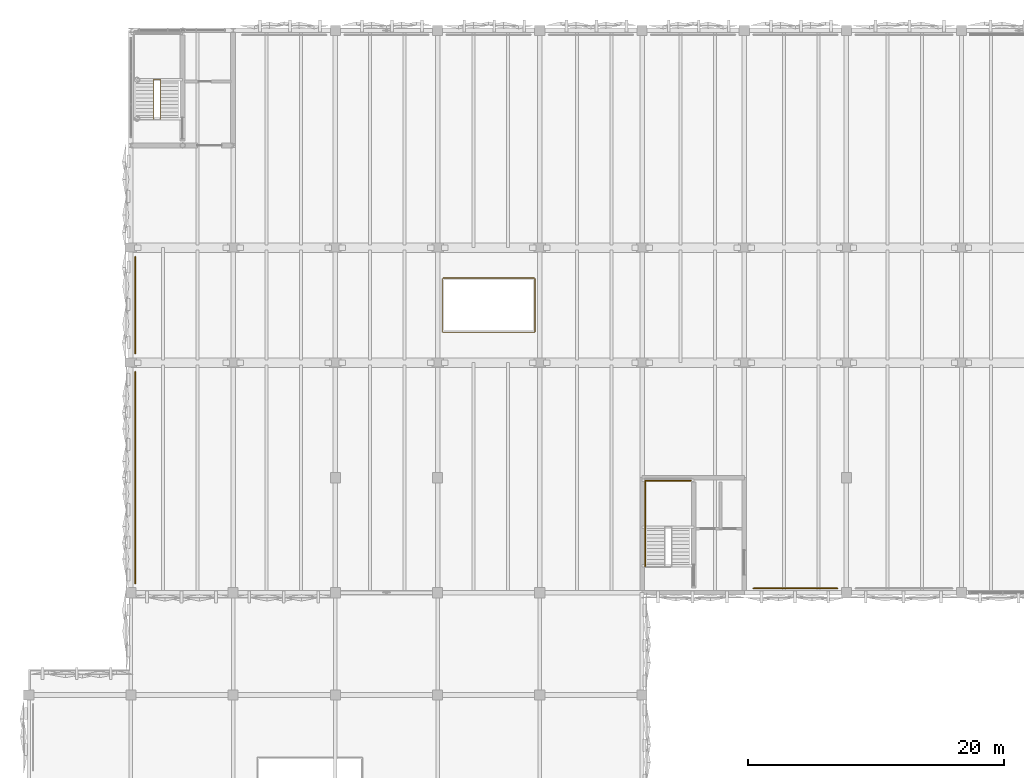
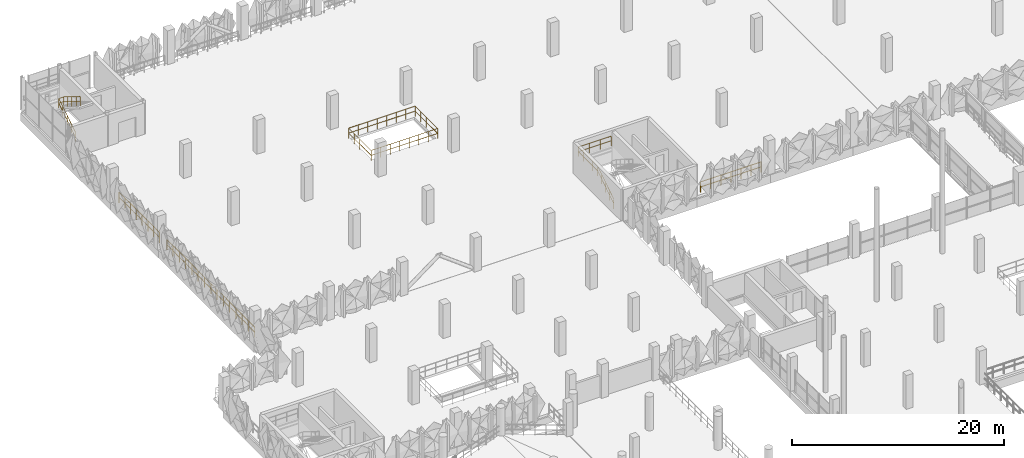
# One storey, part 112 of 123: 6 railings.
"""IFC4 building model written with IfcOpenShell, lengths in metres."""

from ifc_helpers import new_model, si_unit, derived_unit, direction, frame, origin, origin_2d, place, context, subcontext, project, spatial, circle, extrude, material, type_object, element, save


model = new_model("IFC4")

# Units and contexts
model_context = context("Model", 3, precision=1e-05, world=origin(), true_north=direction((0.0, 1.0)))
body_context = subcontext(model_context, "Body", "Model", "MODEL_VIEW")
ifc_project = project(units=[si_unit("LENGTHUNIT", "METRE"), si_unit("AREAUNIT", "SQUARE_METRE"), si_unit("VOLUMEUNIT", "CUBIC_METRE"), si_unit("PLANEANGLEUNIT", "RADIAN"), si_unit("MASSUNIT", "GRAM", prefix="KILO"), si_unit("THERMODYNAMICTEMPERATUREUNIT", "KELVIN"), derived_unit("THERMALTRANSMITTANCEUNIT", [(si_unit("POWERUNIT", "WATT"), 1), (si_unit("AREAUNIT", "SQUARE_METRE"), -1), (si_unit("THERMODYNAMICTEMPERATUREUNIT", "KELVIN"), -1)])], contexts=[model_context])

# Site, building, storey
site_placement = place(None, origin())
site = spatial("IfcSite", under=ifc_project, at=site_placement, CompositionType="ELEMENT")
building_placement = place(site_placement, origin())
building = spatial("IfcBuilding", under=site, at=building_placement, Name="Haiyu Intermodal Mobility Hub", CompositionType="ELEMENT")
storey_placement = place(building_placement, frame((0.0, 0.0, 5.60009765625)))
storey = spatial("IfcBuildingStorey", under=building, at=storey_placement, Name="L01", CompositionType="ELEMENT", Elevation=5.60009765625)

# Railings
ifc_material = material(Name="Steel Q355C", Category="steel")
railing_type_1 = type_object("IfcRailingType", Name="RAL-GR01", PredefinedType="GUARDRAIL", material=ifc_material)
railing_1_placement = place(storey_placement, frame((22.340087890625, 121.300048828125, 0.0)))
element("IfcRailing", 1, at=railing_1_placement, inside=storey, type_object=railing_type_1, Name="RAL-CAR-W-0082", PredefinedType="GUARDRAIL", context=body_context, shape_type="SweptSolid", body=[
    extrude(circle(Radius=0.02392578125, at=origin_2d()), frame((0.0, -0.030029296875, 1.17578125), z_axis=(0.0, -1.0, 0.0), x_axis=(1.0, 0.0, 0.0)), (0.0, 0.0, 1.0), 16.5400390625),
    extrude(circle(Radius=0.02392578125, at=origin_2d()), frame((0.0, -0.037353515625, 0.60009765625), z_axis=(0.0, -1.0, 0.0), x_axis=(1.0, 0.0, 0.0)), (0.0, 0.0, 1.0), 1.111083984375),
    extrude(circle(Radius=0.02392578125, at=origin_2d()), frame((0.0, -1.222900390625, 0.60009765625), z_axis=(0.0, -1.0, 0.0), x_axis=(1.0, 0.0, 0.0)), (0.0, 0.0, 1.0), 1.111083984375),
    extrude(circle(Radius=0.02392578125, at=origin_2d()), frame((0.0, -2.40869140625, 0.60009765625), z_axis=(0.0, -1.0, 0.0), x_axis=(1.0, 0.0, 0.0)), (0.0, 0.0, 1.0), 1.111083984375),
    extrude(circle(Radius=0.02392578125, at=origin_2d()), frame((0.0, -3.594482421875, 0.60009765625), z_axis=(0.0, -1.0, 0.0), x_axis=(1.0, 0.0, 0.0)), (0.0, 0.0, 1.0), 1.111083984375),
    extrude(circle(Radius=0.02392578125, at=origin_2d()), frame((0.0, -4.7802734375, 0.60009765625), z_axis=(0.0, -1.0, 0.0), x_axis=(1.0, 0.0, 0.0)), (0.0, 0.0, 1.0), 1.111083984375),
    extrude(circle(Radius=0.02392578125, at=origin_2d()), frame((0.0, -5.9658203125, 0.60009765625), z_axis=(0.0, -1.0, 0.0), x_axis=(1.0, 0.0, 0.0)), (0.0, 0.0, 1.0), 1.111083984375),
    extrude(circle(Radius=0.02392578125, at=origin_2d()), frame((0.0, -7.151611328125, 0.60009765625), z_axis=(0.0, -1.0, 0.0), x_axis=(1.0, 0.0, 0.0)), (0.0, 0.0, 1.0), 1.111083984375),
    extrude(circle(Radius=0.02392578125, at=origin_2d()), frame((0.0, -8.33740234375, 0.60009765625), z_axis=(0.0, -1.0, 0.0), x_axis=(1.0, 0.0, 0.0)), (0.0, 0.0, 1.0), 1.111083984375),
    extrude(circle(Radius=0.02392578125, at=origin_2d()), frame((0.0, -9.52294921875, 0.60009765625), z_axis=(0.0, -1.0, 0.0), x_axis=(1.0, 0.0, 0.0)), (0.0, 0.0, 1.0), 1.111083984375),
    extrude(circle(Radius=0.02392578125, at=origin_2d()), frame((0.0, -10.708740234375, 0.60009765625), z_axis=(0.0, -1.0, 0.0), x_axis=(1.0, 0.0, 0.0)), (0.0, 0.0, 1.0), 1.111083984375),
    extrude(circle(Radius=0.02392578125, at=origin_2d()), frame((0.0, -11.89453125, 0.60009765625), z_axis=(0.0, -1.0, 0.0), x_axis=(1.0, 0.0, 0.0)), (0.0, 0.0, 1.0), 1.111083984375),
    extrude(circle(Radius=0.02392578125, at=origin_2d()), frame((0.0, -13.080322265625, 0.60009765625), z_axis=(0.0, -1.0, 0.0), x_axis=(1.0, 0.0, 0.0)), (0.0, 0.0, 1.0), 1.111083984375),
    extrude(circle(Radius=0.02392578125, at=origin_2d()), frame((0.0, -14.265869140625, 0.60009765625), z_axis=(0.0, -1.0, 0.0), x_axis=(1.0, 0.0, 0.0)), (0.0, 0.0, 1.0), 1.111083984375),
    extrude(circle(Radius=0.02392578125, at=origin_2d()), frame((0.0, -15.45166015625, 0.60009765625), z_axis=(0.0, -1.0, 0.0), x_axis=(1.0, 0.0, 0.0)), (0.0, 0.0, 1.0), 1.111083984375),
    extrude(circle(Radius=0.02099609375, at=origin_2d()), origin(), (0.0, 0.0, 1.0), 1.143798828125),
    extrude(circle(Radius=0.02099609375, at=origin_2d()), frame((0.0, -1.185791015625, 0.0)), (0.0, 0.0, 1.0), 1.143798828125),
    extrude(circle(Radius=0.02099609375, at=origin_2d()), frame((0.0, -2.371337890625, 0.0)), (0.0, 0.0, 1.0), 1.143798828125),
    extrude(circle(Radius=0.02099609375, at=origin_2d()), frame((0.0, -3.55712890625, 0.0)), (0.0, 0.0, 1.0), 1.143798828125),
    extrude(circle(Radius=0.02099609375, at=origin_2d()), frame((0.0, -4.742919921875, 0.0)), (0.0, 0.0, 1.0), 1.143798828125),
    extrude(circle(Radius=0.02099609375, at=origin_2d()), frame((0.0, -5.9287109375, 0.0)), (0.0, 0.0, 1.0), 1.143798828125),
    extrude(circle(Radius=0.02099609375, at=origin_2d()), frame((0.0, -7.1142578125, 0.0)), (0.0, 0.0, 1.0), 1.143798828125),
    extrude(circle(Radius=0.02099609375, at=origin_2d()), frame((0.0, -8.300048828125, 0.0)), (0.0, 0.0, 1.0), 1.143798828125),
    extrude(circle(Radius=0.02099609375, at=origin_2d()), frame((0.0, -9.48583984375, 0.0)), (0.0, 0.0, 1.0), 1.143798828125),
    extrude(circle(Radius=0.02099609375, at=origin_2d()), frame((0.0, -10.67138671875, 0.0)), (0.0, 0.0, 1.0), 1.143798828125),
    extrude(circle(Radius=0.02099609375, at=origin_2d()), frame((0.0, -11.857177734375, 0.0)), (0.0, 0.0, 1.0), 1.143798828125),
    extrude(circle(Radius=0.02099609375, at=origin_2d()), frame((0.0, -13.04296875, 0.0)), (0.0, 0.0, 1.0), 1.143798828125),
    extrude(circle(Radius=0.02099609375, at=origin_2d()), frame((0.0, -14.228759765625, 0.0)), (0.0, 0.0, 1.0), 1.143798828125),
    extrude(circle(Radius=0.02099609375, at=origin_2d()), frame((0.0, -15.414306640625, 0.0)), (0.0, 0.0, 1.0), 1.143798828125),
    extrude(circle(Radius=0.02099609375, at=origin_2d()), frame((0.0, -16.60009765625, 0.0)), (0.0, 0.0, 1.0), 1.143798828125),
])
railing_2_placement = place(storey_placement, frame((22.340087890625, 130.300048828125, 0.0)))
element("IfcRailing", 2, at=railing_2_placement, inside=storey, type_object=railing_type_1, Name="RAL-CAR-W-0087", PredefinedType="GUARDRAIL", context=body_context, shape_type="SweptSolid", body=[
    extrude(circle(Radius=0.02392578125, at=origin_2d()), frame((0.0, -0.030029296875, 1.17578125), z_axis=(0.0, -1.0, 0.0), x_axis=(1.0, 0.0, 0.0)), (0.0, 0.0, 1.0), 7.5400390625),
    extrude(circle(Radius=0.02392578125, at=origin_2d()), frame((0.0, -0.037353515625, 0.60009765625), z_axis=(0.0, -1.0, 0.0), x_axis=(1.0, 0.0, 0.0)), (0.0, 0.0, 1.0), 1.01123046875),
    extrude(circle(Radius=0.02392578125, at=origin_2d()), frame((0.0, -1.123046875, 0.60009765625), z_axis=(0.0, -1.0, 0.0), x_axis=(1.0, 0.0, 0.0)), (0.0, 0.0, 1.0), 1.01123046875),
    extrude(circle(Radius=0.02392578125, at=origin_2d()), frame((0.0, -2.208740234375, 0.60009765625), z_axis=(0.0, -1.0, 0.0), x_axis=(1.0, 0.0, 0.0)), (0.0, 0.0, 1.0), 1.01123046875),
    extrude(circle(Radius=0.02392578125, at=origin_2d()), frame((0.0, -3.29443359375, 0.60009765625), z_axis=(0.0, -1.0, 0.0), x_axis=(1.0, 0.0, 0.0)), (0.0, 0.0, 1.0), 1.01123046875),
    extrude(circle(Radius=0.02392578125, at=origin_2d()), frame((0.0, -4.380126953125, 0.60009765625), z_axis=(0.0, -1.0, 0.0), x_axis=(1.0, 0.0, 0.0)), (0.0, 0.0, 1.0), 1.01123046875),
    extrude(circle(Radius=0.02392578125, at=origin_2d()), frame((0.0, -5.4658203125, 0.60009765625), z_axis=(0.0, -1.0, 0.0), x_axis=(1.0, 0.0, 0.0)), (0.0, 0.0, 1.0), 1.01123046875),
    extrude(circle(Radius=0.02392578125, at=origin_2d()), frame((0.0, -6.5517578125, 0.60009765625), z_axis=(0.0, -1.0, 0.0), x_axis=(1.0, 0.0, 0.0)), (0.0, 0.0, 1.0), 1.01123046875),
    extrude(circle(Radius=0.02099609375, at=origin_2d()), origin(), (0.0, 0.0, 1.0), 1.143798828125),
    extrude(circle(Radius=0.02099609375, at=origin_2d()), frame((0.0, -1.085693359375, 0.0)), (0.0, 0.0, 1.0), 1.143798828125),
    extrude(circle(Radius=0.02099609375, at=origin_2d()), frame((0.0, -2.17138671875, 0.0)), (0.0, 0.0, 1.0), 1.143798828125),
    extrude(circle(Radius=0.02099609375, at=origin_2d()), frame((0.0, -3.257080078125, 0.0)), (0.0, 0.0, 1.0), 1.143798828125),
    extrude(circle(Radius=0.02099609375, at=origin_2d()), frame((0.0, -4.343017578125, 0.0)), (0.0, 0.0, 1.0), 1.143798828125),
    extrude(circle(Radius=0.02099609375, at=origin_2d()), frame((0.0, -5.4287109375, 0.0)), (0.0, 0.0, 1.0), 1.143798828125),
    extrude(circle(Radius=0.02099609375, at=origin_2d()), frame((0.0, -6.514404296875, 0.0)), (0.0, 0.0, 1.0), 1.143798828125),
    extrude(circle(Radius=0.02099609375, at=origin_2d()), frame((0.0, -7.60009765625, 0.0)), (0.0, 0.0, 1.0), 1.143798828125),
])
railing_3_placement = place(storey_placement, frame((70.699951171875, 104.340087890625, 0.0)))
element("IfcRailing", 3, at=railing_3_placement, inside=storey, type_object=railing_type_1, Name="RAL-CAR-S-0109", PredefinedType="GUARDRAIL", context=body_context, shape_type="SweptSolid", body=[
    extrude(circle(Radius=0.02392578125, at=origin_2d()), frame((0.030029296875, 0.0, 1.17578125), z_axis=(1.0, 0.0, 0.0), x_axis=(0.0, 1.0, 0.0)), (0.0, 0.0, 1.0), 6.5400390625),
    extrude(circle(Radius=0.02392578125, at=origin_2d()), frame((0.037353515625, 0.0, 0.60009765625), z_axis=(1.0, 0.0, 0.0), x_axis=(0.0, 1.0, 0.0)), (0.0, 0.0, 1.0), 1.025390625),
    extrude(circle(Radius=0.02392578125, at=origin_2d()), frame((1.13720703125, 0.0, 0.60009765625), z_axis=(1.0, 0.0, 0.0), x_axis=(0.0, 1.0, 0.0)), (0.0, 0.0, 1.0), 1.025390625),
    extrude(circle(Radius=0.02392578125, at=origin_2d()), frame((2.2373046875, 0.0, 0.60009765625), z_axis=(1.0, 0.0, 0.0), x_axis=(0.0, 1.0, 0.0)), (0.0, 0.0, 1.0), 1.025390625),
    extrude(circle(Radius=0.02392578125, at=origin_2d()), frame((3.33740234375, 0.0, 0.60009765625), z_axis=(1.0, 0.0, 0.0), x_axis=(0.0, 1.0, 0.0)), (0.0, 0.0, 1.0), 1.025390625),
    extrude(circle(Radius=0.02392578125, at=origin_2d()), frame((4.437255859375, 0.0, 0.60009765625), z_axis=(1.0, 0.0, 0.0), x_axis=(0.0, 1.0, 0.0)), (0.0, 0.0, 1.0), 1.025390625),
    extrude(circle(Radius=0.02392578125, at=origin_2d()), frame((5.537353515625, 0.0, 0.60009765625), z_axis=(1.0, 0.0, 0.0), x_axis=(0.0, 1.0, 0.0)), (0.0, 0.0, 1.0), 1.025390625),
    extrude(circle(Radius=0.02099609375, at=origin_2d()), origin(), (0.0, 0.0, 1.0), 1.143798828125),
    extrude(circle(Radius=0.02099609375, at=origin_2d()), frame((1.10009765625, 0.0, 0.0)), (0.0, 0.0, 1.0), 1.143798828125),
    extrude(circle(Radius=0.02099609375, at=origin_2d()), frame((2.199951171875, 0.0, 0.0)), (0.0, 0.0, 1.0), 1.143798828125),
    extrude(circle(Radius=0.02099609375, at=origin_2d()), frame((3.300048828125, 0.0, 0.0)), (0.0, 0.0, 1.0), 1.143798828125),
    extrude(circle(Radius=0.02099609375, at=origin_2d()), frame((4.400146484375, 0.0, 0.0)), (0.0, 0.0, 1.0), 1.143798828125),
    extrude(circle(Radius=0.02099609375, at=origin_2d()), frame((5.5, 0.0, 0.0)), (0.0, 0.0, 1.0), 1.143798828125),
    extrude(circle(Radius=0.02099609375, at=origin_2d()), frame((6.60009765625, 0.0, 0.0)), (0.0, 0.0, 1.0), 1.143798828125),
])
railing_4_placement = place(storey_placement, frame((46.3798828125, 124.3798828125, 0.0)))
element("IfcRailing", 4, at=railing_4_placement, inside=storey, type_object=railing_type_1, Name="RAL-V4VOID-L01-W", PredefinedType="GUARDRAIL", context=body_context, shape_type="SweptSolid", body=[
    extrude(circle(Radius=0.02392578125, at=origin_2d()), frame((0.030029296875, 0.0, 1.15576171875), z_axis=(1.0, 0.0, 0.0), x_axis=(0.0, 1.0, 0.0)), (0.0, 0.0, 1.0), 7.18017578125),
    extrude(circle(Radius=0.02392578125, at=origin_2d()), frame((0.037353515625, 0.0, 0.58984375), z_axis=(1.0, 0.0, 0.0), x_axis=(0.0, 1.0, 0.0)), (0.0, 0.0, 1.0), 0.959716796875),
    extrude(circle(Radius=0.02392578125, at=origin_2d()), frame((1.071533203125, 0.0, 0.58984375), z_axis=(1.0, 0.0, 0.0), x_axis=(0.0, 1.0, 0.0)), (0.0, 0.0, 1.0), 0.959716796875),
    extrude(circle(Radius=0.02392578125, at=origin_2d()), frame((2.10595703125, 0.0, 0.58984375), z_axis=(1.0, 0.0, 0.0), x_axis=(0.0, 1.0, 0.0)), (0.0, 0.0, 1.0), 0.959716796875),
    extrude(circle(Radius=0.02392578125, at=origin_2d()), frame((3.14013671875, 0.0, 0.58984375), z_axis=(1.0, 0.0, 0.0), x_axis=(0.0, 1.0, 0.0)), (0.0, 0.0, 1.0), 0.959716796875),
    extrude(circle(Radius=0.02392578125, at=origin_2d()), frame((4.174560546875, 0.0, 0.58984375), z_axis=(1.0, 0.0, 0.0), x_axis=(0.0, 1.0, 0.0)), (0.0, 0.0, 1.0), 0.959716796875),
    extrude(circle(Radius=0.02392578125, at=origin_2d()), frame((5.208984375, 0.0, 0.58984375), z_axis=(1.0, 0.0, 0.0), x_axis=(0.0, 1.0, 0.0)), (0.0, 0.0, 1.0), 0.959716796875),
    extrude(circle(Radius=0.02392578125, at=origin_2d()), frame((6.2431640625, 0.0, 0.58984375), z_axis=(1.0, 0.0, 0.0), x_axis=(0.0, 1.0, 0.0)), (0.0, 0.0, 1.0), 0.959716796875),
    extrude(circle(Radius=0.02392578125, at=origin_2d()), frame((7.240234375, 0.030029296875, 1.15576171875), z_axis=(0.0, 1.0, 0.0), x_axis=(-1.0, 0.0, 0.0)), (0.0, 0.0, 1.0), 4.18017578125),
    extrude(circle(Radius=0.02392578125, at=origin_2d()), frame((7.240234375, 0.037353515625, 0.58984375), z_axis=(0.0, 1.0, 0.0), x_axis=(-1.0, 0.0, 0.0)), (0.0, 0.0, 1.0), 0.9853515625),
    extrude(circle(Radius=0.02392578125, at=origin_2d()), frame((7.240234375, 1.097412109375, 0.58984375), z_axis=(0.0, 1.0, 0.0), x_axis=(-1.0, 0.0, 0.0)), (0.0, 0.0, 1.0), 0.9853515625),
    extrude(circle(Radius=0.02392578125, at=origin_2d()), frame((7.240234375, 2.157470703125, 0.58984375), z_axis=(0.0, 1.0, 0.0), x_axis=(-1.0, 0.0, 0.0)), (0.0, 0.0, 1.0), 0.9853515625),
    extrude(circle(Radius=0.02392578125, at=origin_2d()), frame((7.240234375, 3.217529296875, 0.58984375), z_axis=(0.0, 1.0, 0.0), x_axis=(-1.0, 0.0, 0.0)), (0.0, 0.0, 1.0), 0.9853515625),
    extrude(circle(Radius=0.02392578125, at=origin_2d()), frame((7.210205078125, 4.240234375, 1.15576171875), z_axis=(-1.0, 0.0, 0.0), x_axis=(0.0, -1.0, 0.0)), (0.0, 0.0, 1.0), 7.18017578125),
    extrude(circle(Radius=0.02392578125, at=origin_2d()), frame((7.202880859375, 4.240234375, 0.58984375), z_axis=(-1.0, 0.0, 0.0), x_axis=(0.0, -1.0, 0.0)), (0.0, 0.0, 1.0), 0.959716796875),
    extrude(circle(Radius=0.02392578125, at=origin_2d()), frame((6.168701171875, 4.240234375, 0.58984375), z_axis=(-1.0, 0.0, 0.0), x_axis=(0.0, -1.0, 0.0)), (0.0, 0.0, 1.0), 0.959716796875),
    extrude(circle(Radius=0.02392578125, at=origin_2d()), frame((5.13427734375, 4.240234375, 0.58984375), z_axis=(-1.0, 0.0, 0.0), x_axis=(0.0, -1.0, 0.0)), (0.0, 0.0, 1.0), 0.959716796875),
    extrude(circle(Radius=0.02392578125, at=origin_2d()), frame((4.10009765625, 4.240234375, 0.58984375), z_axis=(-1.0, 0.0, 0.0), x_axis=(0.0, -1.0, 0.0)), (0.0, 0.0, 1.0), 0.959716796875),
    extrude(circle(Radius=0.02392578125, at=origin_2d()), frame((3.065673828125, 4.240234375, 0.58984375), z_axis=(-1.0, 0.0, 0.0), x_axis=(0.0, -1.0, 0.0)), (0.0, 0.0, 1.0), 0.959716796875),
    extrude(circle(Radius=0.02392578125, at=origin_2d()), frame((2.03125, 4.240234375, 0.58984375), z_axis=(-1.0, 0.0, 0.0), x_axis=(0.0, -1.0, 0.0)), (0.0, 0.0, 1.0), 0.959716796875),
    extrude(circle(Radius=0.02392578125, at=origin_2d()), frame((0.9970703125, 4.240234375, 0.58984375), z_axis=(-1.0, 0.0, 0.0), x_axis=(0.0, -1.0, 0.0)), (0.0, 0.0, 1.0), 0.959716796875),
    extrude(circle(Radius=0.02392578125, at=origin_2d()), frame((0.0, 4.210205078125, 1.15576171875), z_axis=(0.0, -1.0, 0.0), x_axis=(1.0, 0.0, 0.0)), (0.0, 0.0, 1.0), 4.18017578125),
    extrude(circle(Radius=0.02392578125, at=origin_2d()), frame((0.0, 4.202880859375, 0.58984375), z_axis=(0.0, -1.0, 0.0), x_axis=(1.0, 0.0, 0.0)), (0.0, 0.0, 1.0), 0.9853515625),
    extrude(circle(Radius=0.02392578125, at=origin_2d()), frame((0.0, 3.142822265625, 0.58984375), z_axis=(0.0, -1.0, 0.0), x_axis=(1.0, 0.0, 0.0)), (0.0, 0.0, 1.0), 0.9853515625),
    extrude(circle(Radius=0.02392578125, at=origin_2d()), frame((0.0, 2.082763671875, 0.58984375), z_axis=(0.0, -1.0, 0.0), x_axis=(1.0, 0.0, 0.0)), (0.0, 0.0, 1.0), 0.9853515625),
    extrude(circle(Radius=0.02392578125, at=origin_2d()), frame((0.0, 1.022705078125, 0.58984375), z_axis=(0.0, -1.0, 0.0), x_axis=(1.0, 0.0, 0.0)), (0.0, 0.0, 1.0), 0.9853515625),
    extrude(circle(Radius=0.02099609375, at=origin_2d()), origin(), (0.0, 0.0, 1.0), 1.123779296875),
    extrude(circle(Radius=0.02099609375, at=origin_2d()), frame((1.034423828125, 0.0, 0.0)), (0.0, 0.0, 1.0), 1.123779296875),
    extrude(circle(Radius=0.02099609375, at=origin_2d()), frame((2.068603515625, 0.0, 0.0)), (0.0, 0.0, 1.0), 1.123779296875),
    extrude(circle(Radius=0.02099609375, at=origin_2d()), frame((3.10302734375, 0.0, 0.0)), (0.0, 0.0, 1.0), 1.123779296875),
    extrude(circle(Radius=0.02099609375, at=origin_2d()), frame((4.13720703125, 0.0, 0.0)), (0.0, 0.0, 1.0), 1.123779296875),
    extrude(circle(Radius=0.02099609375, at=origin_2d()), frame((5.171630859375, 0.0, 0.0)), (0.0, 0.0, 1.0), 1.123779296875),
    extrude(circle(Radius=0.02099609375, at=origin_2d()), frame((6.205810546875, 0.0, 0.0)), (0.0, 0.0, 1.0), 1.123779296875),
    extrude(circle(Radius=0.02099609375, at=origin_2d()), frame((7.240234375, 0.0, 0.0)), (0.0, 0.0, 1.0), 1.123779296875),
    extrude(circle(Radius=0.02099609375, at=origin_2d()), frame((7.240234375, 1.06005859375, 0.0)), (0.0, 0.0, 1.0), 1.123779296875),
    extrude(circle(Radius=0.02099609375, at=origin_2d()), frame((7.240234375, 2.1201171875, 0.0)), (0.0, 0.0, 1.0), 1.123779296875),
    extrude(circle(Radius=0.02099609375, at=origin_2d()), frame((7.240234375, 3.18017578125, 0.0)), (0.0, 0.0, 1.0), 1.123779296875),
    extrude(circle(Radius=0.02099609375, at=origin_2d()), frame((7.240234375, 4.240234375, 0.0)), (0.0, 0.0, 1.0), 1.123779296875),
    extrude(circle(Radius=0.02099609375, at=origin_2d()), frame((6.205810546875, 4.240234375, 0.0)), (0.0, 0.0, 1.0), 1.123779296875),
    extrude(circle(Radius=0.02099609375, at=origin_2d()), frame((5.171630859375, 4.240234375, 0.0)), (0.0, 0.0, 1.0), 1.123779296875),
    extrude(circle(Radius=0.02099609375, at=origin_2d()), frame((4.13720703125, 4.240234375, 0.0)), (0.0, 0.0, 1.0), 1.123779296875),
    extrude(circle(Radius=0.02099609375, at=origin_2d()), frame((3.10302734375, 4.240234375, 0.0)), (0.0, 0.0, 1.0), 1.123779296875),
    extrude(circle(Radius=0.02099609375, at=origin_2d()), frame((2.068603515625, 4.240234375, 0.0)), (0.0, 0.0, 1.0), 1.123779296875),
    extrude(circle(Radius=0.02099609375, at=origin_2d()), frame((1.034423828125, 4.240234375, 0.0)), (0.0, 0.0, 1.0), 1.123779296875),
    extrude(circle(Radius=0.02099609375, at=origin_2d()), frame((0.0, 4.240234375, 0.0)), (0.0, 0.0, 1.0), 1.123779296875),
    extrude(circle(Radius=0.02099609375, at=origin_2d()), frame((0.0, 3.18017578125, 0.0)), (0.0, 0.0, 1.0), 1.123779296875),
    extrude(circle(Radius=0.02099609375, at=origin_2d()), frame((0.0, 2.1201171875, 0.0)), (0.0, 0.0, 1.0), 1.123779296875),
    extrude(circle(Radius=0.02099609375, at=origin_2d()), frame((0.0, 1.06005859375, 0.0)), (0.0, 0.0, 1.0), 1.123779296875),
])
railing_type_2 = type_object("IfcRailingType", Name="RAL-GR03", PredefinedType="GUARDRAIL", material=ifc_material)
railing_5_placement = place(storey_placement, frame((23.780029296875, 141.050048828125, 0.0)))
element("IfcRailing", 5, at=railing_5_placement, inside=storey, type_object=railing_type_2, Name="Stair Well Guard STR-C3-L01", PredefinedType="GUARDRAIL", context=body_context, shape_type="SweptSolid", body=[
    extrude(circle(Radius=0.02392578125, at=origin_2d()), frame((0.0, 0.025390625, 1.11181640625), z_axis=(0.0, 0.848756196164, 0.528784378999), x_axis=(-1.0, 0.0, 0.0)), (0.0, 0.0, 1.0), 3.627685546875),
    extrude(circle(Radius=0.02392578125, at=origin_2d()), frame((0.0, 0.03173828125, 0.579833984375), z_axis=(0.0, 0.848756196164, 0.528784378999), x_axis=(-1.0, 0.0, 0.0)), (0.0, 0.0, 1.0), 0.847412109375),
    extrude(circle(Radius=0.02392578125, at=origin_2d()), frame((0.0, 0.814208984375, 1.0673828125), z_axis=(0.0, 0.848756196164, 0.528784378999), x_axis=(-1.0, 0.0, 0.0)), (0.0, 0.0, 1.0), 0.847412109375),
    extrude(circle(Radius=0.02392578125, at=origin_2d()), frame((0.0, 1.5966796875, 1.5546875), z_axis=(0.0, 0.848756196164, 0.528784378999), x_axis=(-1.0, 0.0, 0.0)), (0.0, 0.0, 1.0), 0.847412109375),
    extrude(circle(Radius=0.02392578125, at=origin_2d()), frame((0.0, 2.379150390625, 2.042236328125), z_axis=(0.0, 0.848756196164, 0.528784378999), x_axis=(-1.0, 0.0, 0.0)), (0.0, 0.0, 1.0), 0.847412109375),
    extrude(circle(Radius=0.02392578125, at=origin_2d()), frame((0.030029296875, 3.1298828125, 3.0458984375), z_axis=(1.0, 0.0, 0.0), x_axis=(0.0, 1.0, 0.0)), (0.0, 0.0, 1.0), 0.469970703125),
    extrude(circle(Radius=0.02392578125, at=origin_2d()), frame((0.037353515625, 3.1298828125, 2.510009765625), z_axis=(1.0, 0.0, 0.0), x_axis=(0.0, 1.0, 0.0)), (0.0, 0.0, 1.0), 0.455322265625),
    extrude(circle(Radius=0.02392578125, at=origin_2d()), frame((0.530029296875, 3.1044921875, 3.061767578125), z_axis=(0.0, -0.848756196164, 0.528784378999), x_axis=(1.0, 0.0, 0.0)), (0.0, 0.0, 1.0), 3.627685546875),
    extrude(circle(Radius=0.02392578125, at=origin_2d()), frame((0.530029296875, 3.09814453125, 2.52978515625), z_axis=(0.0, -0.848756196164, 0.528784378999), x_axis=(1.0, 0.0, 0.0)), (0.0, 0.0, 1.0), 0.847412109375),
    extrude(circle(Radius=0.02392578125, at=origin_2d()), frame((0.530029296875, 2.315673828125, 3.017333984375), z_axis=(0.0, -0.848756196164, 0.528784378999), x_axis=(1.0, 0.0, 0.0)), (0.0, 0.0, 1.0), 0.847412109375),
    extrude(circle(Radius=0.02392578125, at=origin_2d()), frame((0.530029296875, 1.533203125, 3.504638671875), z_axis=(0.0, -0.848756196164, 0.528784378999), x_axis=(1.0, 0.0, 0.0)), (0.0, 0.0, 1.0), 0.847412109375),
    extrude(circle(Radius=0.02392578125, at=origin_2d()), frame((0.530029296875, 0.750732421875, 3.9921875), z_axis=(0.0, -0.848756196164, 0.528784378999), x_axis=(1.0, 0.0, 0.0)), (0.0, 0.0, 1.0), 0.847412109375),
    extrude(circle(Radius=0.02099609375, at=origin_2d()), origin(), (0.0, 0.0, 1.0), 1.06396484375),
    extrude(circle(Radius=0.02099609375, at=origin_2d()), frame((0.0, 0.782470703125, 0.487548828125)), (0.0, 0.0, 1.0), 1.06396484375),
    extrude(circle(Radius=0.02099609375, at=origin_2d()), frame((0.0, 1.56494140625, 0.97509765625)), (0.0, 0.0, 1.0), 1.06396484375),
    extrude(circle(Radius=0.02099609375, at=origin_2d()), frame((0.0, 2.347412109375, 1.46240234375)), (0.0, 0.0, 1.0), 1.06396484375),
    extrude(circle(Radius=0.02099609375, at=origin_2d()), frame((0.0, 3.1298828125, 1.949951171875)), (0.0, 0.0, 1.0), 1.06396484375),
    extrude(circle(Radius=0.02099609375, at=origin_2d()), frame((0.530029296875, 3.1298828125, 1.949951171875)), (0.0, 0.0, 1.0), 1.06396484375),
    extrude(circle(Radius=0.02099609375, at=origin_2d()), frame((0.530029296875, 2.347412109375, 2.4375)), (0.0, 0.0, 1.0), 1.06396484375),
    extrude(circle(Radius=0.02099609375, at=origin_2d()), frame((0.530029296875, 1.56494140625, 2.9248046875)), (0.0, 0.0, 1.0), 1.06396484375),
    extrude(circle(Radius=0.02099609375, at=origin_2d()), frame((0.530029296875, 0.782470703125, 3.412353515625)), (0.0, 0.0, 1.0), 1.06396484375),
    extrude(circle(Radius=0.02099609375, at=origin_2d()), frame((0.530029296875, 0.0, 3.89990234375)), (0.0, 0.0, 1.0), 1.06396484375),
])
railing_6_placement = place(storey_placement, frame((62.25, 106.050048828125, 0.0)))
element("IfcRailing", 6, at=railing_6_placement, inside=storey, type_object=railing_type_2, Name="Stair Outer Guard STR-C5-L01", PredefinedType="GUARDRAIL", context=body_context, shape_type="SweptSolid", body=[
    extrude(circle(Radius=0.02392578125, at=origin_2d()), frame((0.0, 0.025390625, 1.112060546875), z_axis=(0.0, 0.844894753029, 0.534932571736), x_axis=(-1.0, 0.0, 0.0)), (0.0, 0.0, 1.0), 3.585205078125),
    extrude(circle(Radius=0.02392578125, at=origin_2d()), frame((0.0, 0.031494140625, 0.580078125), z_axis=(0.0, 0.844894753029, 0.534932571736), x_axis=(-1.0, 0.0, 0.0)), (0.0, 0.0, 1.0), 0.836669921875),
    extrude(circle(Radius=0.02392578125, at=origin_2d()), frame((0.0, 0.801513671875, 1.0673828125), z_axis=(0.0, 0.844894753029, 0.534932571736), x_axis=(-1.0, 0.0, 0.0)), (0.0, 0.0, 1.0), 0.836669921875),
    extrude(circle(Radius=0.02392578125, at=origin_2d()), frame((0.0, 1.571533203125, 1.554931640625), z_axis=(0.0, 0.844894753029, 0.534932571736), x_axis=(-1.0, 0.0, 0.0)), (0.0, 0.0, 1.0), 0.836669921875),
    extrude(circle(Radius=0.02392578125, at=origin_2d()), frame((0.0, 2.34130859375, 2.04248046875), z_axis=(0.0, 0.844894753029, 0.534932571736), x_axis=(-1.0, 0.0, 0.0)), (0.0, 0.0, 1.0), 0.836669921875),
    extrude(circle(Radius=0.02392578125, at=origin_2d()), frame((0.0, 3.10986328125, 3.0458984375), z_axis=(0.0, 1.0, 0.0), x_axis=(-1.0, 0.0, 0.0)), (0.0, 0.0, 1.0), 3.570068359375),
    extrude(circle(Radius=0.02392578125, at=origin_2d()), frame((0.0, 3.1171875, 2.510009765625), z_axis=(0.0, 1.0, 0.0), x_axis=(-1.0, 0.0, 0.0)), (0.0, 0.0, 1.0), 0.8330078125),
    extrude(circle(Radius=0.02392578125, at=origin_2d()), frame((0.0, 4.024658203125, 2.510009765625), z_axis=(0.0, 1.0, 0.0), x_axis=(-1.0, 0.0, 0.0)), (0.0, 0.0, 1.0), 0.8330078125),
    extrude(circle(Radius=0.02392578125, at=origin_2d()), frame((0.0, 4.93212890625, 2.510009765625), z_axis=(0.0, 1.0, 0.0), x_axis=(-1.0, 0.0, 0.0)), (0.0, 0.0, 1.0), 0.8330078125),
    extrude(circle(Radius=0.02392578125, at=origin_2d()), frame((0.0, 5.83984375, 2.510009765625), z_axis=(0.0, 1.0, 0.0), x_axis=(-1.0, 0.0, 0.0)), (0.0, 0.0, 1.0), 0.8330078125),
    extrude(circle(Radius=0.02392578125, at=origin_2d()), frame((0.030029296875, 6.7099609375, 3.0458984375), z_axis=(1.0, 0.0, 0.0), x_axis=(0.0, 1.0, 0.0)), (0.0, 0.0, 1.0), 3.52001953125),
    extrude(circle(Radius=0.02392578125, at=origin_2d()), frame((0.037353515625, 6.7099609375, 2.510009765625), z_axis=(1.0, 0.0, 0.0), x_axis=(0.0, 1.0, 0.0)), (0.0, 0.0, 1.0), 1.11865234375),
    extrude(circle(Radius=0.02392578125, at=origin_2d()), frame((1.230712890625, 6.7099609375, 2.510009765625), z_axis=(1.0, 0.0, 0.0), x_axis=(0.0, 1.0, 0.0)), (0.0, 0.0, 1.0), 1.11865234375),
    extrude(circle(Radius=0.02392578125, at=origin_2d()), frame((2.424072265625, 6.7099609375, 2.510009765625), z_axis=(1.0, 0.0, 0.0), x_axis=(0.0, 1.0, 0.0)), (0.0, 0.0, 1.0), 1.11865234375),
    extrude(circle(Radius=0.02099609375, at=origin_2d()), origin(), (0.0, 0.0, 1.0), 1.06396484375),
    extrude(circle(Radius=0.02099609375, at=origin_2d()), frame((0.0, 0.77001953125, 0.487548828125)), (0.0, 0.0, 1.0), 1.06396484375),
    extrude(circle(Radius=0.02099609375, at=origin_2d()), frame((0.0, 1.5400390625, 0.97509765625)), (0.0, 0.0, 1.0), 1.06396484375),
    extrude(circle(Radius=0.02099609375, at=origin_2d()), frame((0.0, 2.309814453125, 1.46240234375)), (0.0, 0.0, 1.0), 1.06396484375),
    extrude(circle(Radius=0.02099609375, at=origin_2d()), frame((0.0, 3.079833984375, 1.949951171875)), (0.0, 0.0, 1.0), 1.06396484375),
    extrude(circle(Radius=0.02099609375, at=origin_2d()), frame((0.0, 3.9873046875, 1.949951171875)), (0.0, 0.0, 1.0), 1.06396484375),
    extrude(circle(Radius=0.02099609375, at=origin_2d()), frame((0.0, 4.89501953125, 1.949951171875)), (0.0, 0.0, 1.0), 1.06396484375),
    extrude(circle(Radius=0.02099609375, at=origin_2d()), frame((0.0, 5.802490234375, 1.949951171875)), (0.0, 0.0, 1.0), 1.06396484375),
    extrude(circle(Radius=0.02099609375, at=origin_2d()), frame((0.0, 6.7099609375, 1.949951171875)), (0.0, 0.0, 1.0), 1.06396484375),
    extrude(circle(Radius=0.02099609375, at=origin_2d()), frame((1.193359375, 6.7099609375, 1.949951171875)), (0.0, 0.0, 1.0), 1.06396484375),
    extrude(circle(Radius=0.02099609375, at=origin_2d()), frame((2.38671875, 6.7099609375, 1.949951171875)), (0.0, 0.0, 1.0), 1.06396484375),
    extrude(circle(Radius=0.02099609375, at=origin_2d()), frame((3.580078125, 6.7099609375, 1.949951171875)), (0.0, 0.0, 1.0), 1.06396484375),
])

save(model, "model.ifc")
